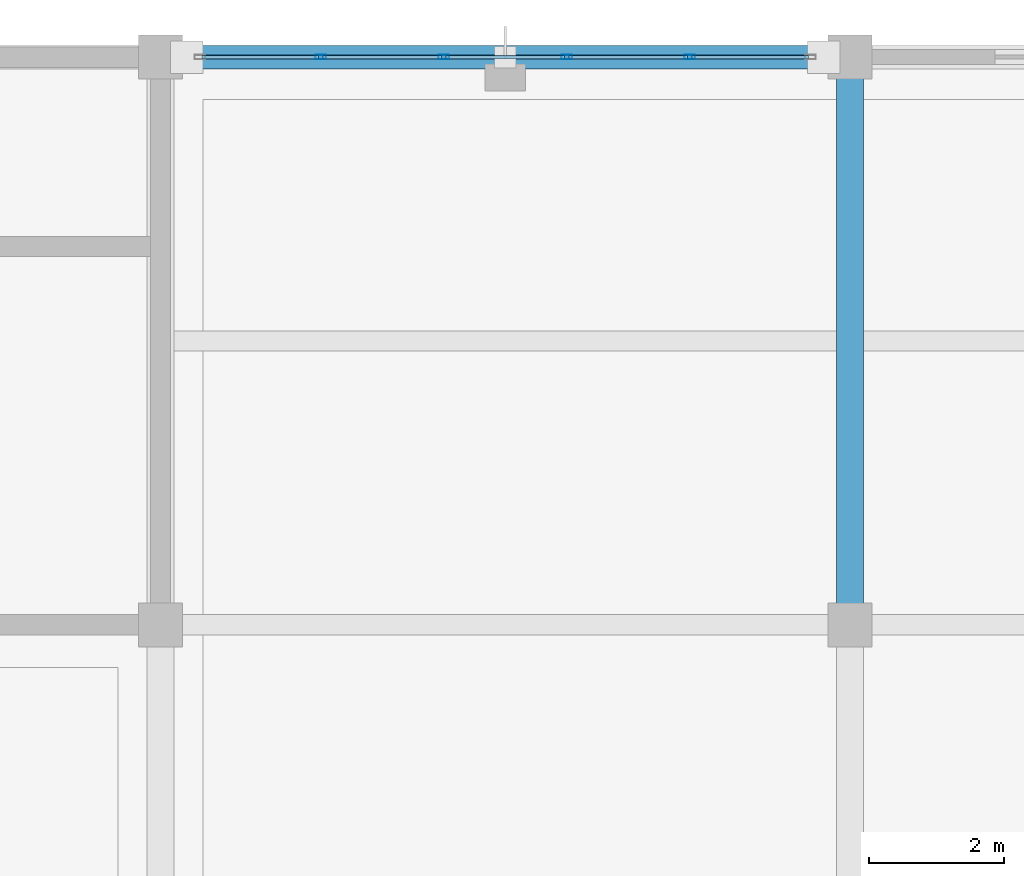
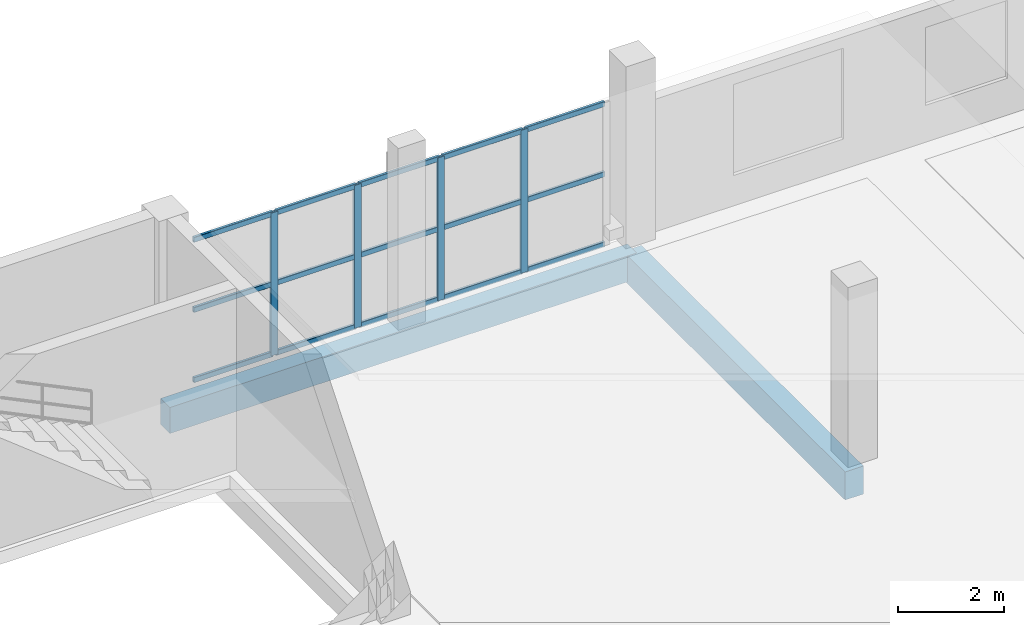
# One storey, part 98 of 135: 19 members, 2 beams, 1 element without a shape of its own.
"""IFC4 building model written with IfcOpenShell, lengths in metres."""

from ifc_helpers import new_model, si_unit, direction, frame, origin, origin_2d, place, context, subcontext, project, spatial, rectangle, hollow_rectangle, extrude, material, material_profile, profile_set, type_object, element, aggregate, save


model = new_model("IFC4")

# Units and contexts
model_context = context("Model", 3, precision=1e-05, world=origin(), true_north=direction((0.0, 1.0)))
body_context = subcontext(model_context, "Body", "Model", "MODEL_VIEW")
ifc_project = project(units=[si_unit("LENGTHUNIT", "METRE"), si_unit("AREAUNIT", "SQUARE_METRE"), si_unit("VOLUMEUNIT", "CUBIC_METRE"), si_unit("PLANEANGLEUNIT", "RADIAN"), si_unit("MASSUNIT", "GRAM", prefix="KILO")], contexts=[model_context])

# Site, building, storey
site_placement = place(None, origin())
site = spatial("IfcSite", under=ifc_project, at=site_placement, CompositionType="ELEMENT")
building_placement = place(site_placement, origin())
building = spatial("IfcBuilding", under=site, at=building_placement, Name="Brelvane Convention Centre", CompositionType="ELEMENT")
storey_placement = place(building_placement, frame((0.0, 0.0, 15.0)))
storey = spatial("IfcBuildingStorey", under=building, at=storey_placement, Name="L03", CompositionType="ELEMENT", Elevation=15.0)

# Curtain wall, members
ifc_material_1 = material(Name="Anodised Aluminium Alloy 6063-T6", Category="aluminium")
curtain_wall_type = type_object("IfcCurtainWallType", Name="Curtain Wall CW-BOUL", PredefinedType="USERDEFINED", material=ifc_material_1)
curtain_wall_placement = place(storey_placement, origin())
curtain_wall = element("IfcCurtainWall", 1, at=curtain_wall_placement, inside=storey, type_object=curtain_wall_type, Name="Curtain Wall CW-BOUL L03-V4N-04", ObjectType="UNITISED", PredefinedType="USERDEFINED")
ifc_material_2 = material(Name="Anodised Aluminium Alloy 6063-T6", Category="aluminium")
ifc_material_profile_1 = material_profile(ifc_material_2, hollow_rectangle(XDim=0.06494140625, YDim=0.159912109375, WallThickness=0.00390625, InnerFilletRadius=0.00390625, OuterFilletRadius=0.008056640625, at=origin_2d()), Name="ALU-M 160x65x4.0")
ifc_profile_set_1 = profile_set([ifc_material_profile_1], Name="Anodised Aluminium Alloy 6063-T6")
member_type_1 = type_object("IfcMemberType", Name="Curtain Mullion CW-M3", PredefinedType="MULLION", material=ifc_profile_set_1)
member_1_placement = place(storey_placement, frame((32.969970703125, 144.0, 0.0), z_axis=(0.0, 0.0, 1.0), x_axis=(0.0, 1.0, 0.0)))
member_1 = element("IfcMember", 2, at=member_1_placement, type_object=member_type_1, Name="CW-BOUL mullion 2", PredefinedType="MULLION", context=body_context, shape_type="SweptSolid", body=[
    extrude(hollow_rectangle(XDim=0.06494140625, YDim=0.159912109375, WallThickness=0.00390625, InnerFilletRadius=0.00390625, OuterFilletRadius=0.008056640625, at=origin_2d()), origin(), (0.0, 0.0, 1.0), 3.300048828125),
])
member_2_placement = place(storey_placement, frame((34.7900390625, 144.0, 0.0), z_axis=(0.0, 0.0, 1.0), x_axis=(0.0, 1.0, 0.0)))
member_2 = element("IfcMember", 3, at=member_2_placement, type_object=member_type_1, Name="CW-BOUL mullion 3", PredefinedType="MULLION", context=body_context, shape_type="SweptSolid", body=[
    extrude(hollow_rectangle(XDim=0.06494140625, YDim=0.159912109375, WallThickness=0.00390625, InnerFilletRadius=0.00390625, OuterFilletRadius=0.008056640625, at=origin_2d()), origin(), (0.0, 0.0, 1.0), 3.300048828125),
])
member_3_placement = place(storey_placement, frame((36.610107421875, 144.0, 0.0), z_axis=(0.0, 0.0, 1.0), x_axis=(0.0, 1.0, 0.0)))
member_3 = element("IfcMember", 4, at=member_3_placement, type_object=member_type_1, Name="CW-BOUL mullion 4", PredefinedType="MULLION", context=body_context, shape_type="SweptSolid", body=[
    extrude(hollow_rectangle(XDim=0.06494140625, YDim=0.159912109375, WallThickness=0.00390625, InnerFilletRadius=0.00390625, OuterFilletRadius=0.008056640625, at=origin_2d()), origin(), (0.0, 0.0, 1.0), 3.300048828125),
])
member_4_placement = place(storey_placement, frame((38.429931640625, 144.0, 0.0), z_axis=(0.0, 0.0, 1.0), x_axis=(0.0, 1.0, 0.0)))
member_4 = element("IfcMember", 5, at=member_4_placement, type_object=member_type_1, Name="CW-BOUL mullion 5", PredefinedType="MULLION", context=body_context, shape_type="SweptSolid", body=[
    extrude(hollow_rectangle(XDim=0.06494140625, YDim=0.159912109375, WallThickness=0.00390625, InnerFilletRadius=0.00390625, OuterFilletRadius=0.008056640625, at=origin_2d()), origin(), (0.0, 0.0, 1.0), 3.300048828125),
])
ifc_material_3 = material(Name="Anodised Aluminium Alloy 6063-T6", Category="aluminium")
ifc_material_profile_2 = material_profile(ifc_material_3, hollow_rectangle(XDim=0.06005859375, YDim=0.1201171875, WallThickness=0.00390625, InnerFilletRadius=0.00390625, OuterFilletRadius=0.008056640625, at=origin_2d()), Name="ALU-T 120x60x4.0")
ifc_profile_set_2 = profile_set([ifc_material_profile_2], Name="Anodised Aluminium Alloy 6063-T6")
member_type_2 = type_object("IfcMemberType", Name="Curtain Transom CW-T3", PredefinedType="USERDEFINED", material=ifc_profile_set_2)
member_5_placement = place(storey_placement, frame((31.215087890625, 144.0, 0.030029296875), z_axis=(1.0, 0.0, 0.0), x_axis=(0.0, 1.0, 0.0)))
member_5 = element("IfcMember", 6, at=member_5_placement, type_object=member_type_2, Name="CW-BOUL transom 1.1", ObjectType="TRANSOM", PredefinedType="USERDEFINED", context=body_context, shape_type="SweptSolid", body=[
    extrude(hollow_rectangle(XDim=0.06005859375, YDim=0.1201171875, WallThickness=0.00390625, InnerFilletRadius=0.00390625, OuterFilletRadius=0.008056640625, at=origin_2d()), origin(), (0.0, 0.0, 1.0), 1.722412109375),
])
member_6_placement = place(storey_placement, frame((31.215087890625, 144.0, 1.64990234375), z_axis=(1.0, 0.0, 0.0), x_axis=(0.0, 1.0, 0.0)))
member_6 = element("IfcMember", 7, at=member_6_placement, type_object=member_type_2, Name="CW-BOUL transom 1.2", ObjectType="TRANSOM", PredefinedType="USERDEFINED", context=body_context, shape_type="SweptSolid", body=[
    extrude(hollow_rectangle(XDim=0.06005859375, YDim=0.1201171875, WallThickness=0.00390625, InnerFilletRadius=0.00390625, OuterFilletRadius=0.008056640625, at=origin_2d()), origin(), (0.0, 0.0, 1.0), 1.722412109375),
])
member_7_placement = place(storey_placement, frame((31.215087890625, 144.0, 3.27001953125), z_axis=(1.0, 0.0, 0.0), x_axis=(0.0, 1.0, 0.0)))
member_7 = element("IfcMember", 8, at=member_7_placement, type_object=member_type_2, Name="CW-BOUL transom 1.3", ObjectType="TRANSOM", PredefinedType="USERDEFINED", context=body_context, shape_type="SweptSolid", body=[
    extrude(hollow_rectangle(XDim=0.06005859375, YDim=0.1201171875, WallThickness=0.00390625, InnerFilletRadius=0.00390625, OuterFilletRadius=0.008056640625, at=origin_2d()), origin(), (0.0, 0.0, 1.0), 1.722412109375),
])
member_8_placement = place(storey_placement, frame((33.00244140625, 144.0, 0.030029296875), z_axis=(1.0, 0.0, 0.0), x_axis=(0.0, 1.0, 0.0)))
member_8 = element("IfcMember", 9, at=member_8_placement, type_object=member_type_2, Name="CW-BOUL transom 2.1", ObjectType="TRANSOM", PredefinedType="USERDEFINED", context=body_context, shape_type="SweptSolid", body=[
    extrude(hollow_rectangle(XDim=0.06005859375, YDim=0.1201171875, WallThickness=0.00390625, InnerFilletRadius=0.00390625, OuterFilletRadius=0.008056640625, at=origin_2d()), origin(), (0.0, 0.0, 1.0), 1.755126953125),
])
member_9_placement = place(storey_placement, frame((33.00244140625, 144.0, 1.64990234375), z_axis=(1.0, 0.0, 0.0), x_axis=(0.0, 1.0, 0.0)))
member_9 = element("IfcMember", 10, at=member_9_placement, type_object=member_type_2, Name="CW-BOUL transom 2.2", ObjectType="TRANSOM", PredefinedType="USERDEFINED", context=body_context, shape_type="SweptSolid", body=[
    extrude(hollow_rectangle(XDim=0.06005859375, YDim=0.1201171875, WallThickness=0.00390625, InnerFilletRadius=0.00390625, OuterFilletRadius=0.008056640625, at=origin_2d()), origin(), (0.0, 0.0, 1.0), 1.755126953125),
])
member_10_placement = place(storey_placement, frame((33.00244140625, 144.0, 3.27001953125), z_axis=(1.0, 0.0, 0.0), x_axis=(0.0, 1.0, 0.0)))
member_10 = element("IfcMember", 11, at=member_10_placement, type_object=member_type_2, Name="CW-BOUL transom 2.3", ObjectType="TRANSOM", PredefinedType="USERDEFINED", context=body_context, shape_type="SweptSolid", body=[
    extrude(hollow_rectangle(XDim=0.06005859375, YDim=0.1201171875, WallThickness=0.00390625, InnerFilletRadius=0.00390625, OuterFilletRadius=0.008056640625, at=origin_2d()), origin(), (0.0, 0.0, 1.0), 1.755126953125),
])
member_11_placement = place(storey_placement, frame((34.822509765625, 144.0, 0.030029296875), z_axis=(1.0, 0.0, 0.0), x_axis=(0.0, 1.0, 0.0)))
member_11 = element("IfcMember", 12, at=member_11_placement, type_object=member_type_2, Name="CW-BOUL transom 3.1", ObjectType="TRANSOM", PredefinedType="USERDEFINED", context=body_context, shape_type="SweptSolid", body=[
    extrude(hollow_rectangle(XDim=0.06005859375, YDim=0.1201171875, WallThickness=0.00390625, InnerFilletRadius=0.00390625, OuterFilletRadius=0.008056640625, at=origin_2d()), origin(), (0.0, 0.0, 1.0), 1.7548828125),
])
member_12_placement = place(storey_placement, frame((34.822509765625, 144.0, 1.64990234375), z_axis=(1.0, 0.0, 0.0), x_axis=(0.0, 1.0, 0.0)))
member_12 = element("IfcMember", 13, at=member_12_placement, type_object=member_type_2, Name="CW-BOUL transom 3.2", ObjectType="TRANSOM", PredefinedType="USERDEFINED", context=body_context, shape_type="SweptSolid", body=[
    extrude(hollow_rectangle(XDim=0.06005859375, YDim=0.1201171875, WallThickness=0.00390625, InnerFilletRadius=0.00390625, OuterFilletRadius=0.008056640625, at=origin_2d()), origin(), (0.0, 0.0, 1.0), 1.7548828125),
])
member_13_placement = place(storey_placement, frame((34.822509765625, 144.0, 3.27001953125), z_axis=(1.0, 0.0, 0.0), x_axis=(0.0, 1.0, 0.0)))
member_13 = element("IfcMember", 14, at=member_13_placement, type_object=member_type_2, Name="CW-BOUL transom 3.3", ObjectType="TRANSOM", PredefinedType="USERDEFINED", context=body_context, shape_type="SweptSolid", body=[
    extrude(hollow_rectangle(XDim=0.06005859375, YDim=0.1201171875, WallThickness=0.00390625, InnerFilletRadius=0.00390625, OuterFilletRadius=0.008056640625, at=origin_2d()), origin(), (0.0, 0.0, 1.0), 1.7548828125),
])
member_14_placement = place(storey_placement, frame((36.642578125, 144.0, 0.030029296875), z_axis=(1.0, 0.0, 0.0), x_axis=(0.0, 1.0, 0.0)))
member_14 = element("IfcMember", 15, at=member_14_placement, type_object=member_type_2, Name="CW-BOUL transom 4.1", ObjectType="TRANSOM", PredefinedType="USERDEFINED", context=body_context, shape_type="SweptSolid", body=[
    extrude(hollow_rectangle(XDim=0.06005859375, YDim=0.1201171875, WallThickness=0.00390625, InnerFilletRadius=0.00390625, OuterFilletRadius=0.008056640625, at=origin_2d()), origin(), (0.0, 0.0, 1.0), 1.7548828125),
])
member_15_placement = place(storey_placement, frame((36.642578125, 144.0, 1.64990234375), z_axis=(1.0, 0.0, 0.0), x_axis=(0.0, 1.0, 0.0)))
member_15 = element("IfcMember", 16, at=member_15_placement, type_object=member_type_2, Name="CW-BOUL transom 4.2", ObjectType="TRANSOM", PredefinedType="USERDEFINED", context=body_context, shape_type="SweptSolid", body=[
    extrude(hollow_rectangle(XDim=0.06005859375, YDim=0.1201171875, WallThickness=0.00390625, InnerFilletRadius=0.00390625, OuterFilletRadius=0.008056640625, at=origin_2d()), origin(), (0.0, 0.0, 1.0), 1.7548828125),
])
member_16_placement = place(storey_placement, frame((36.642578125, 144.0, 3.27001953125), z_axis=(1.0, 0.0, 0.0), x_axis=(0.0, 1.0, 0.0)))
member_16 = element("IfcMember", 17, at=member_16_placement, type_object=member_type_2, Name="CW-BOUL transom 4.3", ObjectType="TRANSOM", PredefinedType="USERDEFINED", context=body_context, shape_type="SweptSolid", body=[
    extrude(hollow_rectangle(XDim=0.06005859375, YDim=0.1201171875, WallThickness=0.00390625, InnerFilletRadius=0.00390625, OuterFilletRadius=0.008056640625, at=origin_2d()), origin(), (0.0, 0.0, 1.0), 1.7548828125),
])
member_17_placement = place(storey_placement, frame((38.46240234375, 144.0, 0.030029296875), z_axis=(1.0, 0.0, 0.0), x_axis=(0.0, 1.0, 0.0)))
member_17 = element("IfcMember", 18, at=member_17_placement, type_object=member_type_2, Name="CW-BOUL transom 5.1", ObjectType="TRANSOM", PredefinedType="USERDEFINED", context=body_context, shape_type="SweptSolid", body=[
    extrude(hollow_rectangle(XDim=0.06005859375, YDim=0.1201171875, WallThickness=0.00390625, InnerFilletRadius=0.00390625, OuterFilletRadius=0.008056640625, at=origin_2d()), origin(), (0.0, 0.0, 1.0), 1.72265625),
])
member_18_placement = place(storey_placement, frame((38.46240234375, 144.0, 1.64990234375), z_axis=(1.0, 0.0, 0.0), x_axis=(0.0, 1.0, 0.0)))
member_18 = element("IfcMember", 19, at=member_18_placement, type_object=member_type_2, Name="CW-BOUL transom 5.2", ObjectType="TRANSOM", PredefinedType="USERDEFINED", context=body_context, shape_type="SweptSolid", body=[
    extrude(hollow_rectangle(XDim=0.06005859375, YDim=0.1201171875, WallThickness=0.00390625, InnerFilletRadius=0.00390625, OuterFilletRadius=0.008056640625, at=origin_2d()), origin(), (0.0, 0.0, 1.0), 1.72265625),
])
member_19_placement = place(storey_placement, frame((38.46240234375, 144.0, 3.27001953125), z_axis=(1.0, 0.0, 0.0), x_axis=(0.0, 1.0, 0.0)))
member_19 = element("IfcMember", 20, at=member_19_placement, type_object=member_type_2, Name="CW-BOUL transom 5.3", ObjectType="TRANSOM", PredefinedType="USERDEFINED", context=body_context, shape_type="SweptSolid", body=[
    extrude(hollow_rectangle(XDim=0.06005859375, YDim=0.1201171875, WallThickness=0.00390625, InnerFilletRadius=0.00390625, OuterFilletRadius=0.008056640625, at=origin_2d()), origin(), (0.0, 0.0, 1.0), 1.72265625),
])
aggregate(curtain_wall, [member_1, member_2, member_3, member_4, member_5, member_6, member_7, member_8, member_9, member_10, member_11, member_12, member_13, member_14, member_15, member_16, member_17, member_18, member_19])

# Beams
ifc_material_4 = material(Name="Concrete M40", Category="concrete")
ifc_material_profile_3 = material_profile(ifc_material_4, rectangle(XDim=0.39990234375, YDim=0.64990234375, at=origin_2d()), Name="RC 400x650")
ifc_profile_set_3 = profile_set([ifc_material_profile_3], Name="Concrete M40")
beam_type_1 = type_object("IfcBeamType", Name="RC Beam B-RC7 (RC 400x650)", PredefinedType="BEAM", material=ifc_profile_set_3)
beam_1_placement = place(storey_placement, frame((40.800048828125, 135.60009765625, -0.6201171875), z_axis=(0.0, 1.0, 0.0), x_axis=(-1.0, 0.0, 0.0)))
element("IfcBeam", 21, at=beam_1_placement, inside=storey, type_object=beam_type_1, Name="L03 Girder 5/P-Q", PredefinedType="BEAM", context=body_context, shape_type="SweptSolid", body=[
    extrude(rectangle(XDim=0.39990234375, YDim=0.64990234375, at=origin_2d()), origin(), (0.0, 0.0, 1.0), 8.39990234375),
])
ifc_material_5 = material(Name="Concrete M40", Category="concrete")
ifc_material_profile_4 = material_profile(ifc_material_5, rectangle(XDim=0.35009765625, YDim=0.60009765625, at=origin_2d()), Name="RC 350x600")
ifc_profile_set_4 = profile_set([ifc_material_profile_4], Name="Concrete M40")
beam_type_2 = type_object("IfcBeamType", Name="RC Spandrel SP-RC2 (RC 350x600)", PredefinedType="SPANDREL", material=ifc_profile_set_4)
beam_2_placement = place(storey_placement, frame((30.60009765625, 144.0, -0.594970703125), z_axis=(1.0, 0.0, 0.0), x_axis=(0.0, 1.0, 0.0)))
element("IfcBeam", 22, at=beam_2_placement, inside=storey, type_object=beam_type_2, Name="L03 Beam 4-5/Q", PredefinedType="SPANDREL", context=body_context, shape_type="SweptSolid", body=[
    extrude(rectangle(XDim=0.35009765625, YDim=0.60009765625, at=origin_2d()), origin(), (0.0, 0.0, 1.0), 10.199951171875),
])

save(model, "model.ifc")
